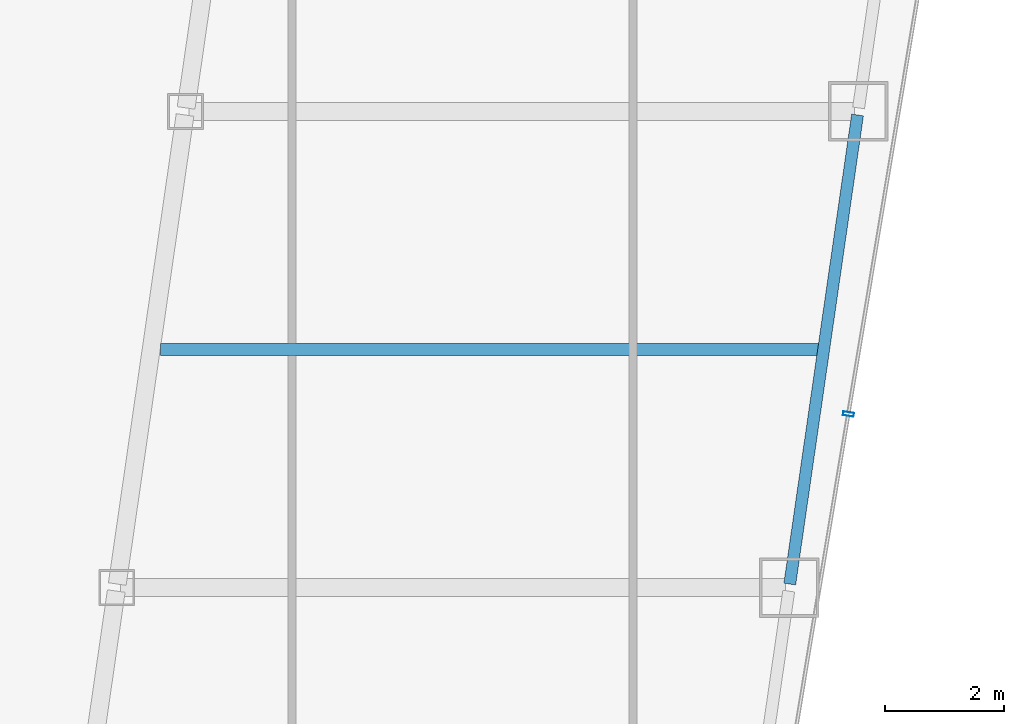
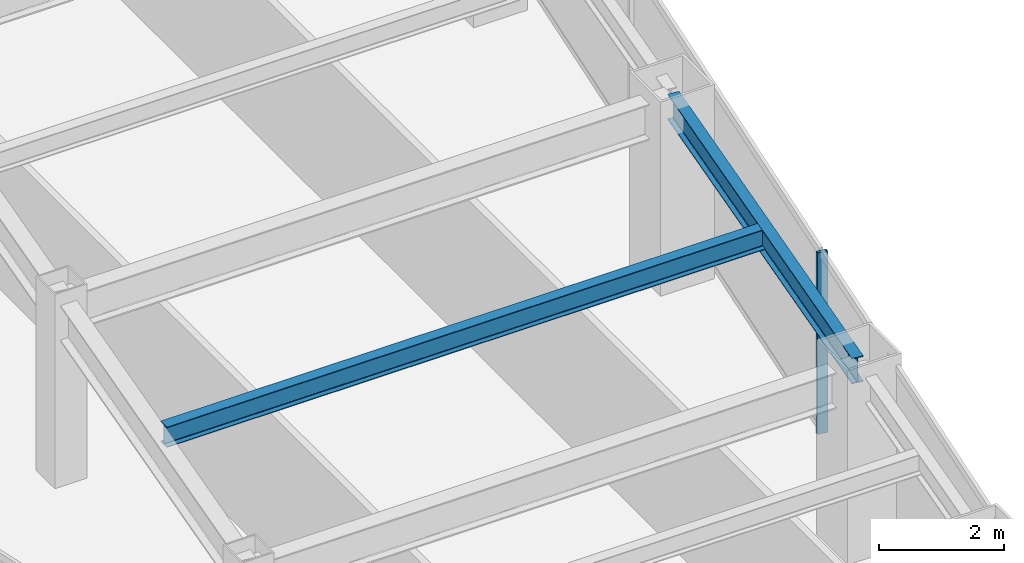
# One storey, part 20 of 40: 2 beams, 1 member, 1 element without a shape of its own.
"""IFC4 building model written with IfcOpenShell, lengths in metres."""

from ifc_helpers import new_model, si_unit, direction, frame, origin, origin_2d, place, context, subcontext, project, spatial, hollow_rectangle, i_section, extrude, material, material_profile, profile_set, type_object, element, aggregate, save


model = new_model("IFC4")

# Units and contexts
model_context = context("Model", 3, precision=1e-05, world=origin(), true_north=direction((0.0, 1.0)))
body_context = subcontext(model_context, "Body", "Model", "MODEL_VIEW")
ifc_project = project(units=[si_unit("LENGTHUNIT", "METRE"), si_unit("AREAUNIT", "SQUARE_METRE"), si_unit("VOLUMEUNIT", "CUBIC_METRE"), si_unit("PLANEANGLEUNIT", "RADIAN"), si_unit("MASSUNIT", "GRAM", prefix="KILO")], contexts=[model_context])

# Site, building, storey
site_placement = place(None, origin())
site = spatial("IfcSite", under=ifc_project, at=site_placement, CompositionType="ELEMENT")
building_placement = place(site_placement, origin())
building = spatial("IfcBuilding", under=site, at=building_placement, Name="Saevonmaru Cultural Tower", CompositionType="ELEMENT")
storey_placement = place(building_placement, frame((0.0, 0.0, 129.60009765625)))
storey = spatial("IfcBuildingStorey", under=building, at=storey_placement, Name="L27", CompositionType="ELEMENT", Elevation=129.60009765625)

# Beams
ifc_material_1 = material(Name="Steel SM355", Category="steel")
ifc_material_profile_1 = material_profile(ifc_material_1, i_section(OverallWidth=0.199951171875, OverallDepth=0.39990234375, WebThickness=0.008056640625, FlangeThickness=0.012939453125, FilletRadius=0.01611328125, at=origin_2d()), Name="H-400x200x8x13")
ifc_profile_set_1 = profile_set([ifc_material_profile_1], Name="Steel SM355")
beam_type_1 = type_object("IfcBeamType", Name="BM-J-H400", PredefinedType="JOIST", material=ifc_profile_set_1)
beam_1_placement = place(storey_placement, frame((38.80810546875, 20.0, 3.349853515625), z_axis=(1.0, 0.0, 0.0), x_axis=(0.0, 1.0, 0.0)))
element("IfcBeam", 1, at=beam_1_placement, inside=storey, type_object=beam_type_1, Name="L27 East Wing Floor Joist 2", PredefinedType="JOIST", context=body_context, shape_type="SweptSolid", body=[
    extrude(i_section(OverallWidth=0.199951171875, OverallDepth=0.39990234375, WebThickness=0.008056640625, FlangeThickness=0.012939453125, FilletRadius=0.01611328125, at=origin_2d()), origin(), (0.0, 0.0, 1.0), 11.081787109375),
])
ifc_material_profile_2 = material_profile(ifc_material_1, i_section(OverallWidth=0.199951171875, OverallDepth=0.5, WebThickness=0.010009765625, FlangeThickness=0.01611328125, FilletRadius=0.02001953125, at=origin_2d()), Name="H-500x200x10x16")
ifc_profile_set_2 = profile_set([ifc_material_profile_2], Name="Steel SM355")
beam_type_2 = type_object("IfcBeamType", Name="BM-SP-H500", PredefinedType="SPANDREL", material=ifc_profile_set_2)
beam_2_placement = place(storey_placement, frame((49.380615234375, 16.059326171875, 3.2998046875), z_axis=(0.142992129437, 0.989723825579, 0.0), x_axis=(-0.989723825579, 0.142992129437, 0.0)))
element("IfcBeam", 2, at=beam_2_placement, inside=storey, type_object=beam_type_2, Name="L27 East Splayed Spandrel 2", PredefinedType="SPANDREL", context=body_context, shape_type="SweptSolid", body=[
    extrude(i_section(OverallWidth=0.199951171875, OverallDepth=0.5, WebThickness=0.010009765625, FlangeThickness=0.01611328125, FilletRadius=0.02001953125, at=origin_2d()), origin(), (0.0, 0.0, 1.0), 7.963134765625),
])

# Curtain wall, member
ifc_material_2 = material(Name="Satin Bronze Anodised Aluminium", Category="aluminium")
curtain_wall_type = type_object("IfcCurtainWallType", Name="CW-SKY-GLZ", PredefinedType="NOTDEFINED", material=ifc_material_2)
curtain_wall_placement = place(storey_placement, origin())
curtain_wall = element("IfcCurtainWall", 3, at=curtain_wall_placement, inside=storey, type_object=curtain_wall_type, Name="L27 Unitised Curtain Wall E8", PredefinedType="NOTDEFINED")
ifc_material_profile_3 = material_profile(ifc_material_2, hollow_rectangle(XDim=0.06494140625, YDim=0.179931640625, WallThickness=0.00390625, at=origin_2d()), Name="ALU-MULL-180x65x4")
ifc_profile_set_3 = profile_set([ifc_material_profile_3], Name="Satin Bronze Anodised Aluminium")
member_type = type_object("IfcMemberType", Name="ML-CW-180x65", PredefinedType="MULLION", material=ifc_profile_set_3)
member_placement = place(storey_placement, frame((50.36669921875, 18.91552734375, 0.0), z_axis=(0.0, 0.0, 1.0), x_axis=(0.163998702345, 0.986460554523, 0.0)))
member = element("IfcMember", 4, at=member_placement, type_object=member_type, Name="CW-TW-L27-E8 mullion 2", PredefinedType="MULLION", context=body_context, shape_type="SweptSolid", body=[
    extrude(hollow_rectangle(XDim=0.06494140625, YDim=0.179931640625, WallThickness=0.00390625, at=origin_2d()), origin(), (0.0, 0.0, 1.0), 3.5498046875),
])
aggregate(curtain_wall, [member])

save(model, "model.ifc")
